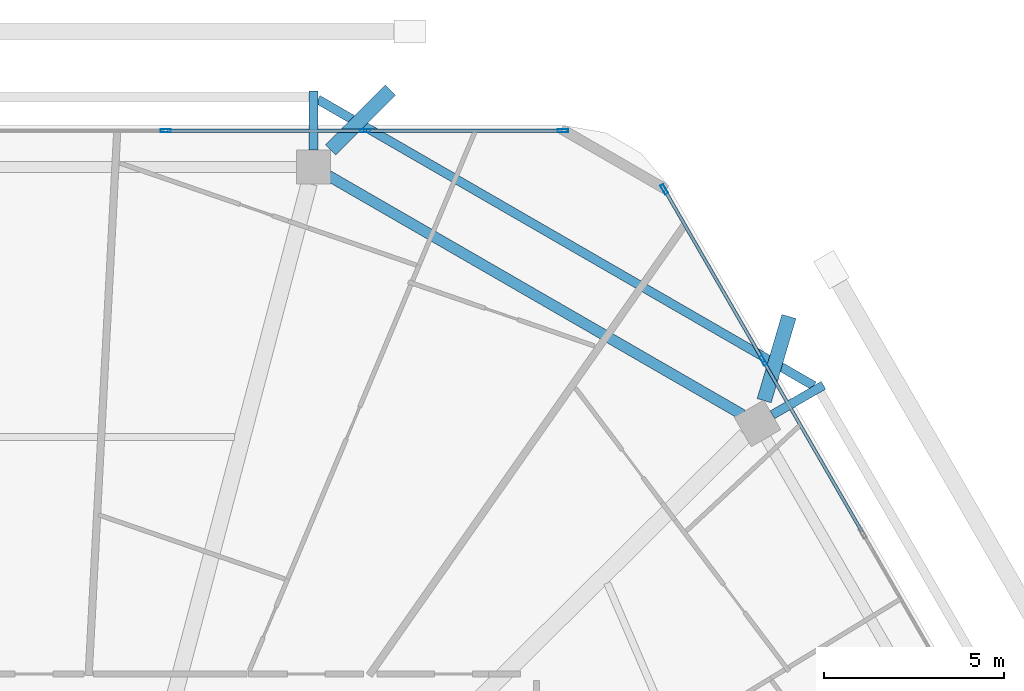
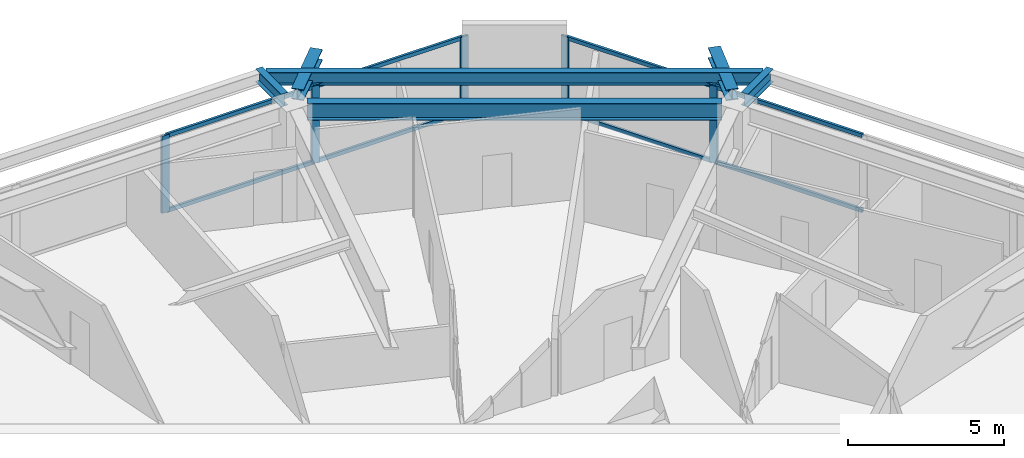
# One storey, part 18 of 28: 13 members, 6 beams, 2 elements without a shape of their own.
"""IFC4 building model written with IfcOpenShell, lengths in metres."""

from ifc_helpers import new_model, si_unit, direction, frame, origin, origin_2d, place, context, subcontext, project, spatial, hollow_rectangle, i_section, extrude, material, material_profile, profile_set, type_object, element, aggregate, save


model = new_model("IFC4")

# Units and contexts
model_context = context("Model", 3, precision=1e-05, world=origin(), true_north=direction((0.0, 1.0)))
body_context = subcontext(model_context, "Body", "Model", "MODEL_VIEW")
ifc_project = project(units=[si_unit("LENGTHUNIT", "METRE"), si_unit("AREAUNIT", "SQUARE_METRE"), si_unit("VOLUMEUNIT", "CUBIC_METRE"), si_unit("PLANEANGLEUNIT", "RADIAN"), si_unit("MASSUNIT", "GRAM", prefix="KILO")], contexts=[model_context])

# Site, building, storey
site_placement = place(None, origin())
site = spatial("IfcSite", under=ifc_project, at=site_placement, CompositionType="ELEMENT")
building_placement = place(site_placement, origin())
building = spatial("IfcBuilding", under=site, at=building_placement, Name="Zuhravey Tower", CompositionType="ELEMENT")
storey_placement = place(building_placement, frame((0.0, 0.0, 222.60009765625)))
storey = spatial("IfcBuildingStorey", under=building, at=storey_placement, Name="L56", CompositionType="ELEMENT", Elevation=222.60009765625)

# Curtain wall, members
ifc_material_1 = material(Name="Thermally broken anodised aluminium", Category="aluminium")
curtain_wall_type = type_object("IfcCurtainWallType", Name="Zone 1-2 Residential Curtain Wall CW3", PredefinedType="NOTDEFINED", material=ifc_material_1)
curtain_wall_1_placement = place(storey_placement, origin())
curtain_wall_1 = element("IfcCurtainWall", 1, at=curtain_wall_1_placement, inside=storey, type_object=curtain_wall_type, Name="L56 CW3 CW-L56-F2-1", PredefinedType="NOTDEFINED")
ifc_material_2 = material(Name="Anodised aluminium", Category="aluminium")
ifc_material_profile_1 = material_profile(ifc_material_2, hollow_rectangle(XDim=0.090087890625, YDim=0.284912109375, WallThickness=0.0048828125, at=origin_2d()), Name="ALU-RHS-90x285x5")
ifc_profile_set_1 = profile_set([ifc_material_profile_1], Name="Anodised aluminium")
member_type_1 = type_object("IfcMemberType", Name="Curtain-Wall Mullion 90x180", PredefinedType="MULLION", material=ifc_profile_set_1)
member_1_placement = place(storey_placement, frame((38.772216796875, 59.18310546875, 0.0), z_axis=(0.0, 0.0, 1.0), x_axis=(0.0, 1.0, 0.0)))
member_1 = element("IfcMember", 2, at=member_1_placement, type_object=member_type_1, Name="CW3 mullion 4", PredefinedType="MULLION", context=body_context, shape_type="SweptSolid", body=[
    extrude(hollow_rectangle(XDim=0.090087890625, YDim=0.284912109375, WallThickness=0.0048828125, at=origin_2d()), origin(), (0.0, 0.0, 1.0), 3.02001953125),
])
member_2_placement = place(storey_placement, frame((44.316650390625, 59.18310546875, 0.0), z_axis=(0.0, 0.0, 1.0), x_axis=(0.0, 1.0, 0.0)))
member_2 = element("IfcMember", 3, at=member_2_placement, type_object=member_type_1, Name="CW3 mullion 5", PredefinedType="MULLION", context=body_context, shape_type="SweptSolid", body=[
    extrude(hollow_rectangle(XDim=0.090087890625, YDim=0.284912109375, WallThickness=0.0048828125, at=origin_2d()), origin(), (0.0, 0.0, 1.0), 3.02001953125),
])
member_3_placement = place(storey_placement, frame((49.816162109375, 59.18310546875, 0.0), z_axis=(0.0, 0.0, 1.0), x_axis=(0.0, 1.0, 0.0)))
member_3 = element("IfcMember", 4, at=member_3_placement, type_object=member_type_1, Name="CW3 mullion 6", PredefinedType="MULLION", context=body_context, shape_type="SweptSolid", body=[
    extrude(hollow_rectangle(XDim=0.090087890625, YDim=0.284912109375, WallThickness=0.0048828125, at=origin_2d()), origin(), (0.0, 0.0, 1.0), 3.02001953125),
])

curtain_wall_2_placement = place(storey_placement, origin())
curtain_wall_2 = element("IfcCurtainWall", 5, at=curtain_wall_2_placement, inside=storey, type_object=curtain_wall_type, Name="L56 CW3 CW-L56-F1-1", PredefinedType="NOTDEFINED")
member_4_placement = place(storey_placement, frame((52.63330078125, 57.556640625, 0.0), z_axis=(0.0, 0.0, 1.0), x_axis=(0.866025138215, 0.500000459979, 0.0)))
member_4 = element("IfcMember", 6, at=member_4_placement, type_object=member_type_1, Name="CW3 mullion 1", PredefinedType="MULLION", context=body_context, shape_type="SweptSolid", body=[
    extrude(hollow_rectangle(XDim=0.090087890625, YDim=0.284912109375, WallThickness=0.0048828125, at=origin_2d()), origin(), (0.0, 0.0, 1.0), 3.02001953125),
])
member_5_placement = place(storey_placement, frame((55.3828125, 52.7939453125, 0.0), z_axis=(0.0, 0.0, 1.0), x_axis=(0.866025138215, 0.500000459979, 0.0)))
member_5 = element("IfcMember", 7, at=member_5_placement, type_object=member_type_1, Name="CW3 mullion 2", PredefinedType="MULLION", context=body_context, shape_type="SweptSolid", body=[
    extrude(hollow_rectangle(XDim=0.090087890625, YDim=0.284912109375, WallThickness=0.0048828125, at=origin_2d()), origin(), (0.0, 0.0, 1.0), 3.02001953125),
])

# Member
ifc_material_profile_2 = material_profile(ifc_material_2, hollow_rectangle(XDim=0.090087890625, YDim=0.14990234375, WallThickness=0.0048828125, at=origin_2d()), Name="ALU-RHS-90x150x5")
ifc_profile_set_2 = profile_set([ifc_material_profile_2], Name="Anodised aluminium")
member_type_2 = type_object("IfcMemberType", Name="Curtain-Wall Transom 90x150", PredefinedType="USERDEFINED", material=ifc_profile_set_2)
member_6_placement = place(storey_placement, frame((38.817138671875, 59.18310546875, 0.044921875), z_axis=(1.0, 0.0, 0.0), x_axis=(0.0, 1.0, 0.0)))
member_6 = element("IfcMember", 8, at=member_6_placement, type_object=member_type_2, Name="CW3 transom 4.1", ObjectType="TRANSOM", PredefinedType="USERDEFINED", context=body_context, shape_type="SweptSolid", body=[
    extrude(hollow_rectangle(XDim=0.090087890625, YDim=0.14990234375, WallThickness=0.0048828125, at=origin_2d()), origin(), (0.0, 0.0, 1.0), 5.45458984375),
])

member_7_placement = place(storey_placement, frame((38.817138671875, 59.18310546875, 2.974853515625), z_axis=(1.0, 0.0, 0.0), x_axis=(0.0, 1.0, 0.0)))
member_7 = element("IfcMember", 9, at=member_7_placement, type_object=member_type_2, Name="CW3 transom 4.2", ObjectType="TRANSOM", PredefinedType="USERDEFINED", context=body_context, shape_type="SweptSolid", body=[
    extrude(hollow_rectangle(XDim=0.090087890625, YDim=0.14990234375, WallThickness=0.0048828125, at=origin_2d()), origin(), (0.0, 0.0, 1.0), 5.45458984375),
])

member_8_placement = place(storey_placement, frame((44.361572265625, 59.18310546875, 0.044921875), z_axis=(1.0, 0.0, 0.0), x_axis=(0.0, 1.0, 0.0)))
member_8 = element("IfcMember", 10, at=member_8_placement, type_object=member_type_2, Name="CW3 transom 5.1", ObjectType="TRANSOM", PredefinedType="USERDEFINED", context=body_context, shape_type="SweptSolid", body=[
    extrude(hollow_rectangle(XDim=0.090087890625, YDim=0.14990234375, WallThickness=0.0048828125, at=origin_2d()), origin(), (0.0, 0.0, 1.0), 5.409423828125),
])

member_9_placement = place(storey_placement, frame((44.361572265625, 59.18310546875, 2.974853515625), z_axis=(1.0, 0.0, 0.0), x_axis=(0.0, 1.0, 0.0)))
member_9 = element("IfcMember", 11, at=member_9_placement, type_object=member_type_2, Name="CW3 transom 5.2", ObjectType="TRANSOM", PredefinedType="USERDEFINED", context=body_context, shape_type="SweptSolid", body=[
    extrude(hollow_rectangle(XDim=0.090087890625, YDim=0.14990234375, WallThickness=0.0048828125, at=origin_2d()), origin(), (0.0, 0.0, 1.0), 5.409423828125),
])

aggregate(curtain_wall_1, [member_1, member_2, member_3, member_6, member_7, member_8, member_9])

member_10_placement = place(storey_placement, frame((52.65576171875, 57.517578125, 0.044921875), z_axis=(0.499993332629, -0.866029253159, 0.0), x_axis=(0.866029253159, 0.499993332629, 0.0)))
member_10 = element("IfcMember", 12, at=member_10_placement, type_object=member_type_2, Name="CW3 transom 1.1", ObjectType="TRANSOM", PredefinedType="USERDEFINED", context=body_context, shape_type="SweptSolid", body=[
    extrude(hollow_rectangle(XDim=0.090087890625, YDim=0.14990234375, WallThickness=0.0048828125, at=origin_2d()), origin(), (0.0, 0.0, 1.0), 5.4091796875),
])

member_11_placement = place(storey_placement, frame((52.65576171875, 57.517578125, 2.974853515625), z_axis=(0.499993332629, -0.866029253159, 0.0), x_axis=(0.866029253159, 0.499993332629, 0.0)))
member_11 = element("IfcMember", 13, at=member_11_placement, type_object=member_type_2, Name="CW3 transom 1.2", ObjectType="TRANSOM", PredefinedType="USERDEFINED", context=body_context, shape_type="SweptSolid", body=[
    extrude(hollow_rectangle(XDim=0.090087890625, YDim=0.14990234375, WallThickness=0.0048828125, at=origin_2d()), origin(), (0.0, 0.0, 1.0), 5.4091796875),
])

member_12_placement = place(storey_placement, frame((55.405517578125, 52.755126953125, 0.044921875), z_axis=(0.49996138257, -0.86604769842, 0.0), x_axis=(0.86604769842, 0.49996138257, 0.0)))
member_12 = element("IfcMember", 14, at=member_12_placement, type_object=member_type_2, Name="CW3 transom 2.1", ObjectType="TRANSOM", PredefinedType="USERDEFINED", context=body_context, shape_type="SweptSolid", body=[
    extrude(hollow_rectangle(XDim=0.090087890625, YDim=0.14990234375, WallThickness=0.0048828125, at=origin_2d()), origin(), (0.0, 0.0, 1.0), 5.45458984375),
])

member_13_placement = place(storey_placement, frame((55.405517578125, 52.755126953125, 2.974853515625), z_axis=(0.49996138257, -0.86604769842, 0.0), x_axis=(0.86604769842, 0.49996138257, 0.0)))
member_13 = element("IfcMember", 15, at=member_13_placement, type_object=member_type_2, Name="CW3 transom 2.2", ObjectType="TRANSOM", PredefinedType="USERDEFINED", context=body_context, shape_type="SweptSolid", body=[
    extrude(hollow_rectangle(XDim=0.090087890625, YDim=0.14990234375, WallThickness=0.0048828125, at=origin_2d()), origin(), (0.0, 0.0, 1.0), 5.45458984375),
])

aggregate(curtain_wall_2, [member_4, member_5, member_10, member_11, member_12, member_13])

# Beams
ifc_material_3 = material(Name="Steel SM460", Category="steel")
ifc_material_profile_3 = material_profile(ifc_material_3, i_section(OverallWidth=0.406982421875, OverallDepth=0.427978515625, WebThickness=0.02001953125, FlangeThickness=0.034912109375, at=origin_2d()), Name="H-428x407x20x35")
ifc_profile_set_3 = profile_set([ifc_material_profile_3], Name="Steel SM460")
beam_type_1 = type_object("IfcBeamType", Name="Exoskeleton Node Tie Beam H428x407", PredefinedType="BEAM", material=ifc_profile_set_3)
beam_1_placement = place(storey_placement, frame((55.411865234375, 51.679443359375, 3.305908203125), z_axis=(0.282551038033, 0.959252266563, 0.0), x_axis=(-0.959252266563, 0.282551038033, 0.0)))
element("IfcBeam", 16, at=beam_1_placement, inside=storey, type_object=beam_type_1, Name="L56 Exoskeleton Node Tie NT1-02", PredefinedType="BEAM", context=body_context, shape_type="SweptSolid", body=[
    extrude(i_section(OverallWidth=0.406982421875, OverallDepth=0.427978515625, WebThickness=0.02001953125, FlangeThickness=0.034912109375, at=origin_2d()), origin(), (0.0, 0.0, 1.0), 2.439208984375),
])
beam_2_placement = place(storey_placement, frame((43.359130859375, 58.65087890625, 3.305908203125), z_axis=(0.706482772037, 0.707730240145, 0.0), x_axis=(-0.707730240145, 0.706482772037, 0.0)))
element("IfcBeam", 17, at=beam_2_placement, inside=storey, type_object=beam_type_1, Name="L56 Exoskeleton Node Tie NT1-03", PredefinedType="BEAM", context=body_context, shape_type="SweptSolid", body=[
    extrude(i_section(OverallWidth=0.406982421875, OverallDepth=0.427978515625, WebThickness=0.02001953125, FlangeThickness=0.034912109375, at=origin_2d()), origin(), (0.0, 0.0, 1.0), 2.348388671875),
])
ifc_material_4 = material(Name="Steel SM355", Category="steel")
ifc_material_profile_4 = material_profile(ifc_material_4, i_section(OverallWidth=0.300048828125, OverallDepth=0.679931640625, WebThickness=0.012939453125, FlangeThickness=0.02197265625, at=origin_2d()), Name="H-680x300x13x22")
ifc_profile_set_4 = profile_set([ifc_material_profile_4], Name="Steel SM355")
beam_type_2 = type_object("IfcBeamType", Name="Perimeter Ring Beam H680x300", PredefinedType="BEAM", material=ifc_profile_set_4)
beam_3_placement = place(storey_placement, frame((54.8115234375, 51.28564453125, 3.179931640625), z_axis=(-0.866029041019, 0.499993700073, 0.0), x_axis=(-0.499993700073, -0.866029041019, 0.0)))
element("IfcBeam", 18, at=beam_3_placement, inside=storey, type_object=beam_type_2, Name="L56 PB2 BM-L56-PB-02", PredefinedType="BEAM", context=body_context, shape_type="SweptSolid", body=[
    extrude(i_section(OverallWidth=0.300048828125, OverallDepth=0.679931640625, WebThickness=0.012939453125, FlangeThickness=0.02197265625, at=origin_2d()), origin(), (0.0, 0.0, 1.0), 13.297119140625),
])
ifc_material_profile_5 = material_profile(ifc_material_4, i_section(OverallWidth=0.25, OverallDepth=0.5, WebThickness=0.010009765625, FlangeThickness=0.01611328125, at=origin_2d()), Name="H-500x250x10x16")
ifc_profile_set_5 = profile_set([ifc_material_profile_5], Name="Steel SM355")
beam_type_3 = type_object("IfcBeamType", Name="Tray Cantilever Spandrel H500x250", PredefinedType="SPANDREL", material=ifc_profile_set_5)
for number, where, z_axis, x_axis, name in (
    (19, (55.640380859375, 51.2861328125, 3.27001953125), (0.866009679343, 0.500027234542, 0.0), (-0.500027234542, 0.866009679343, 0.0), "L56 Sky-Tray Cantilever Arm TSB1-R02"),
    (20, (42.882080078125, 58.652099609375, 3.27001953125), (0.0, 1.0, 0.0), (-1.0, 0.0, 0.0), "L56 Sky-Tray Cantilever Arm TSB1-R03"),
):
    element("IfcBeam", number, at=place(storey_placement, frame(where, z_axis=z_axis, x_axis=x_axis)), inside=storey, type_object=beam_type_3, Name=name, PredefinedType="SPANDREL", context=body_context, shape_type="SweptSolid", body=[
        extrude(i_section(OverallWidth=0.25, OverallDepth=0.5, WebThickness=0.010009765625, FlangeThickness=0.01611328125, at=origin_2d()), origin(), (0.0, 0.0, 1.0), 1.64111328125),
    ])
beam_4_placement = place(storey_placement, frame((56.79296875, 52.091552734375, 3.27001953125), z_axis=(-0.866028559073, 0.49999453484, 0.0), x_axis=(-0.49999453484, -0.866028559073, 0.0)))
element("IfcBeam", 21, at=beam_4_placement, inside=storey, type_object=beam_type_3, Name="L56 Sky-Tray Edge Spandrel TSB1-02", PredefinedType="SPANDREL", context=body_context, shape_type="SweptSolid", body=[
    extrude(i_section(OverallWidth=0.25, OverallDepth=0.5, WebThickness=0.010009765625, FlangeThickness=0.01611328125, at=origin_2d()), origin(), (0.0, 0.0, 1.0), 15.923095703125),
])

save(model, "model.ifc")
